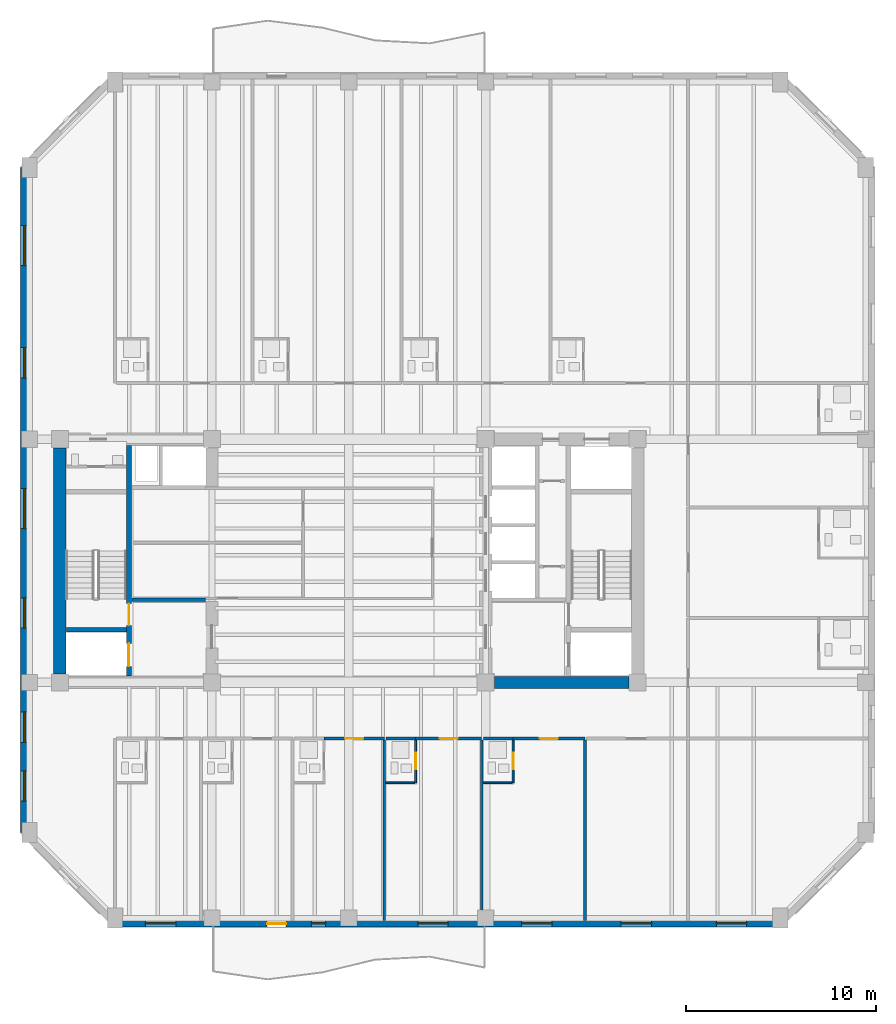
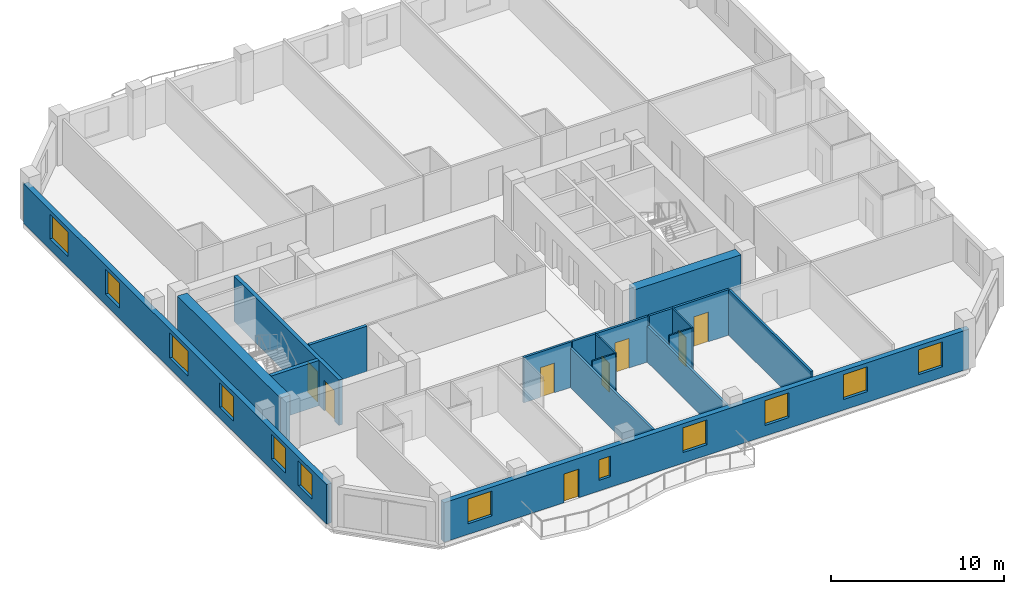
# One storey, part 3 of 11: 19 walls, 12 windows, 8 doors, 20 openings.
"""IFC4 building model written with IfcOpenShell, lengths in metres."""

from ifc_helpers import new_model, si_unit, direction, frame, frame_2d, origin, place, context, subcontext, project, spatial, rectangle, extrude, material, layer, layer_set, type_object, element, fill, save


model = new_model("IFC4")

# Units and contexts
model_context = context("Model", 3, precision=1e-05, world=origin(), true_north=direction((0.0, 1.0)))
body_context = subcontext(model_context, "Body", "Model", "MODEL_VIEW")
ifc_project = project(units=[si_unit("LENGTHUNIT", "METRE"), si_unit("AREAUNIT", "SQUARE_METRE"), si_unit("VOLUMEUNIT", "CUBIC_METRE"), si_unit("PLANEANGLEUNIT", "RADIAN"), si_unit("MASSUNIT", "GRAM", prefix="KILO")], contexts=[model_context])

# Site, building, storey
site_placement = place(None, origin())
site = spatial("IfcSite", under=ifc_project, at=site_placement, CompositionType="ELEMENT")
building_placement = place(site_placement, origin())
building = spatial("IfcBuilding", under=site, at=building_placement, Name="Kranthara Brick Stack", CompositionType="ELEMENT")
storey_placement = place(building_placement, frame((0.0, 0.0, 176.300048828125)))
storey = spatial("IfcBuildingStorey", under=building, at=storey_placement, Name="L45", CompositionType="ELEMENT", Elevation=176.300048828125)

# Wall, openings, door, windows
ifc_material_1 = material(Name="Kiln-fired clay brick masonry M15", Category="masonry")
ifc_layer_1 = layer(ifc_material_1, 0.35009765625)
ifc_layer_set_1 = layer_set([ifc_layer_1], Name="Kiln-fired clay brick masonry M15")
wall_type_1 = type_object("IfcWallType", Name="WL-BRK-SPND-350", PredefinedType="STANDARD", material=ifc_layer_set_1)
wall_1_placement = place(storey_placement, frame((50.699951171875, 8.094970703125, 0.0), z_axis=(0.0, 0.0, 1.0), x_axis=(-1.0, 0.0, 0.0)))
wall_1 = element("IfcWall", 1, at=wall_1_placement, inside=storey, type_object=wall_type_1, Name="L45 Exterior Brick Facade Wall SOUTH 1", PredefinedType="STANDARD", context=body_context, shape_type="SweptSolid", body=[
    extrude(rectangle(XDim=35.0, YDim=0.35009765625, at=frame_2d((17.5, 0.0))), origin(), (0.0, 0.0, 1.0), 2.784912109375),
])
opening_1_placement = place(wall_1_placement, frame((26.0, 0.0, 0.0)))
opening_1 = element("IfcOpeningElement", 2, at=opening_1_placement, cuts=wall_1, Name="Opening D03", PredefinedType="OPENING", context=body_context, shape_type="SweptSolid", body=[
    extrude(rectangle(XDim=1.0, YDim=2.02001953125, at=frame_2d((0.5, 1.010009765625))), frame((0.0, 0.18505859375, 0.0), z_axis=(0.0, -1.0, 0.0), x_axis=(1.0, 0.0, 0.0)), (0.0, 0.0, 1.0), 0.3701171875),
])
opening_2_placement = place(wall_1_placement, frame((1.762939453125, 0.0, 0.75)))
opening_2 = element("IfcOpeningElement", 3, at=opening_2_placement, cuts=wall_1, Name="Opening WN04", PredefinedType="OPENING", context=body_context, shape_type="SweptSolid", body=[
    extrude(rectangle(XDim=1.60009765625, YDim=1.75, at=frame_2d((0.800048828125, 0.875))), frame((0.0, 0.18505859375, 0.0), z_axis=(0.0, -1.0, 0.0), x_axis=(1.0, 0.0, 0.0)), (0.0, 0.0, 1.0), 0.3701171875),
])
opening_3_placement = place(wall_1_placement, frame((6.763916015625, 0.0, 0.75)))
opening_3 = element("IfcOpeningElement", 4, at=opening_3_placement, cuts=wall_1, Name="Opening WN04", PredefinedType="OPENING", context=body_context, shape_type="SweptSolid", body=[
    extrude(rectangle(XDim=1.60009765625, YDim=1.75, at=frame_2d((0.800048828125, 0.875))), frame((0.0, 0.18505859375, 0.0), z_axis=(0.0, -1.0, 0.0), x_axis=(1.0, 0.0, 0.0)), (0.0, 0.0, 1.0), 0.3701171875),
])
opening_4_placement = place(wall_1_placement, frame((12.0009765625, 0.0, 0.75)))
opening_4 = element("IfcOpeningElement", 5, at=opening_4_placement, cuts=wall_1, Name="Opening WN04", PredefinedType="OPENING", context=body_context, shape_type="SweptSolid", body=[
    extrude(rectangle(XDim=1.60009765625, YDim=1.75, at=frame_2d((0.800048828125, 0.875))), frame((0.0, 0.18505859375, 0.0), z_axis=(0.0, -1.0, 0.0), x_axis=(1.0, 0.0, 0.0)), (0.0, 0.0, 1.0), 0.3701171875),
])
opening_5_placement = place(wall_1_placement, frame((17.467041015625, 0.0, 0.75)))
opening_5 = element("IfcOpeningElement", 6, at=opening_5_placement, cuts=wall_1, Name="Opening WN04", PredefinedType="OPENING", context=body_context, shape_type="SweptSolid", body=[
    extrude(rectangle(XDim=1.60009765625, YDim=1.75, at=frame_2d((0.800048828125, 0.875))), frame((0.0, 0.18505859375, 0.0), z_axis=(0.0, -1.0, 0.0), x_axis=(1.0, 0.0, 0.0)), (0.0, 0.0, 1.0), 0.3701171875),
])
opening_6_placement = place(wall_1_placement, frame((31.801025390625, 0.0, 0.75)))
opening_6 = element("IfcOpeningElement", 7, at=opening_6_placement, cuts=wall_1, Name="Opening WN04", PredefinedType="OPENING", context=body_context, shape_type="SweptSolid", body=[
    extrude(rectangle(XDim=1.60009765625, YDim=1.75, at=frame_2d((0.800048828125, 0.875))), frame((0.0, 0.18505859375, 0.0), z_axis=(0.0, -1.0, 0.0), x_axis=(1.0, 0.0, 0.0)), (0.0, 0.0, 1.0), 0.3701171875),
])
opening_7_placement = place(wall_1_placement, frame((23.9140625, 0.0, 0.75)))
opening_7 = element("IfcOpeningElement", 8, at=opening_7_placement, cuts=wall_1, Name="Opening WN13", PredefinedType="OPENING", context=body_context, shape_type="SweptSolid", body=[
    extrude(rectangle(XDim=0.75, YDim=1.449951171875, at=frame_2d((0.375, 0.72509765625))), frame((0.0, 0.18505859375, 0.0), z_axis=(0.0, -1.0, 0.0), x_axis=(1.0, 0.0, 0.0)), (0.0, 0.0, 1.0), 0.3701171875),
])
ifc_material_2 = material(Name="Bronze anodised aluminium and laminated glass", Category="aluminium")
door_type_1 = type_object("IfcDoorType", Name="DR-BALC-1000", OperationType="NOTDEFINED", PredefinedType="DOOR", material=ifc_material_2)
door_1_placement = place(opening_1_placement, origin())
door_1 = element("IfcDoor", 9, at=door_1_placement, inside=storey, type_object=door_type_1, Name="L45 South Balcony Terrace Door", OperationType="SINGLE_SWING_LEFT", OverallHeight=2.02001953125, OverallWidth=1.0, PredefinedType="DOOR", context=body_context, shape_type="SweptSolid", body=[
    extrude(rectangle(XDim=1.0, YDim=2.02001953125, at=frame_2d((0.5, 1.010009765625))), frame((0.0, 0.02490234375, 0.0), z_axis=(0.0, -1.0, 0.0), x_axis=(1.0, 0.0, 0.0)), (0.0, 0.0, 1.0), 0.050048828125),
])
fill(opening_1, door_1)
ifc_material_3 = material(Name="Double-glazed low-E solar control glass", Category="glass")
window_type_1 = type_object("IfcWindowType", Name="WN-CAS-750x1450", PartitioningType="SINGLE_PANEL", PredefinedType="WINDOW", material=ifc_material_3)
window_1_placement = place(opening_7_placement, origin())
window_1 = element("IfcWindow", 10, at=window_1_placement, inside=storey, type_object=window_type_1, Name="L45 South Deep-Set Casement Window 06", OverallHeight=1.449951171875, OverallWidth=0.75, PartitioningType="SINGLE_PANEL", PredefinedType="WINDOW", context=body_context, shape_type="SweptSolid", body=[
    extrude(rectangle(XDim=0.75, YDim=1.449951171875, at=frame_2d((0.375, 0.72509765625))), frame((0.0, -0.010009765625, 0.0), z_axis=(0.0, -1.0, 0.0), x_axis=(1.0, 0.0, 0.0)), (0.0, 0.0, 1.0), 0.06005859375),
])
fill(opening_7, window_1)
ifc_material_4 = material(Name="Double-glazed low-E solar control glass", Category="glass")
window_type_2 = type_object("IfcWindowType", Name="WN-HTL-1600x1850", PartitioningType="DOUBLE_PANEL_VERTICAL", PredefinedType="WINDOW", material=ifc_material_4)
window_2_placement = place(opening_2_placement, origin())
window_2 = element("IfcWindow", 11, at=window_2_placement, inside=storey, type_object=window_type_2, Name="L45 South Deep-Set Brick Window 01", OverallHeight=1.75, OverallWidth=1.60009765625, PartitioningType="SINGLE_PANEL", PredefinedType="WINDOW", context=body_context, shape_type="SweptSolid", body=[
    extrude(rectangle(XDim=1.60009765625, YDim=1.75, at=frame_2d((0.800048828125, 0.875))), frame((0.0, -0.010009765625, 0.0), z_axis=(0.0, -1.0, 0.0), x_axis=(1.0, 0.0, 0.0)), (0.0, 0.0, 1.0), 0.06005859375),
])
fill(opening_2, window_2)
window_3_placement = place(opening_3_placement, origin())
window_3 = element("IfcWindow", 12, at=window_3_placement, inside=storey, type_object=window_type_2, Name="L45 South Deep-Set Brick Window 02", OverallHeight=1.75, OverallWidth=1.60009765625, PartitioningType="SINGLE_PANEL", PredefinedType="WINDOW", context=body_context, shape_type="SweptSolid", body=[
    extrude(rectangle(XDim=1.60009765625, YDim=1.75, at=frame_2d((0.800048828125, 0.875))), frame((0.0, -0.010009765625, 0.0), z_axis=(0.0, -1.0, 0.0), x_axis=(1.0, 0.0, 0.0)), (0.0, 0.0, 1.0), 0.06005859375),
])
fill(opening_3, window_3)
window_4_placement = place(opening_4_placement, origin())
window_4 = element("IfcWindow", 13, at=window_4_placement, inside=storey, type_object=window_type_2, Name="L45 South Deep-Set Brick Window 03", OverallHeight=1.75, OverallWidth=1.60009765625, PartitioningType="SINGLE_PANEL", PredefinedType="WINDOW", context=body_context, shape_type="SweptSolid", body=[
    extrude(rectangle(XDim=1.60009765625, YDim=1.75, at=frame_2d((0.800048828125, 0.875))), frame((0.0, -0.010009765625, 0.0), z_axis=(0.0, -1.0, 0.0), x_axis=(1.0, 0.0, 0.0)), (0.0, 0.0, 1.0), 0.06005859375),
])
fill(opening_4, window_4)
window_5_placement = place(opening_5_placement, origin())
window_5 = element("IfcWindow", 14, at=window_5_placement, inside=storey, type_object=window_type_2, Name="L45 South Deep-Set Brick Window 04", OverallHeight=1.75, OverallWidth=1.60009765625, PartitioningType="SINGLE_PANEL", PredefinedType="WINDOW", context=body_context, shape_type="SweptSolid", body=[
    extrude(rectangle(XDim=1.60009765625, YDim=1.75, at=frame_2d((0.800048828125, 0.875))), frame((0.0, -0.010009765625, 0.0), z_axis=(0.0, -1.0, 0.0), x_axis=(1.0, 0.0, 0.0)), (0.0, 0.0, 1.0), 0.06005859375),
])
fill(opening_5, window_5)
window_6_placement = place(opening_6_placement, origin())
window_6 = element("IfcWindow", 15, at=window_6_placement, inside=storey, type_object=window_type_2, Name="L45 South Deep-Set Brick Window 05", OverallHeight=1.75, OverallWidth=1.60009765625, PartitioningType="SINGLE_PANEL", PredefinedType="WINDOW", context=body_context, shape_type="SweptSolid", body=[
    extrude(rectangle(XDim=1.60009765625, YDim=1.75, at=frame_2d((0.800048828125, 0.875))), frame((0.0, -0.010009765625, 0.0), z_axis=(0.0, -1.0, 0.0), x_axis=(1.0, 0.0, 0.0)), (0.0, 0.0, 1.0), 0.06005859375),
])
fill(opening_6, window_6)

# Wall, openings, windows
wall_2_placement = place(storey_placement, frame((10.89501953125, 12.89990234375, 0.0), z_axis=(0.0, 0.0, 1.0), x_axis=(0.0, 1.0, 0.0)))
wall_2 = element("IfcWall", 16, at=wall_2_placement, inside=storey, type_object=wall_type_1, Name="L45 Exterior Brick Facade Wall WEST 1", PredefinedType="STANDARD", context=body_context, shape_type="SweptSolid", body=[
    extrude(rectangle(XDim=35.0, YDim=0.35009765625, at=frame_2d((17.5, 0.0))), origin(), (0.0, 0.0, 1.0), 2.784912109375),
])
opening_8_placement = place(wall_2_placement, frame((1.652099609375, 0.0, 0.75)))
opening_8 = element("IfcOpeningElement", 17, at=opening_8_placement, cuts=wall_2, Name="Opening WN04", PredefinedType="OPENING", context=body_context, shape_type="SweptSolid", body=[
    extrude(rectangle(XDim=1.60009765625, YDim=1.75, at=frame_2d((0.800048828125, 0.875))), frame((0.0, 0.18505859375, 0.0), z_axis=(0.0, -1.0, 0.0), x_axis=(1.0, 0.0, 0.0)), (0.0, 0.0, 1.0), 0.3701171875),
])
opening_9_placement = place(wall_2_placement, frame((4.748046875, 0.0, 0.75)))
opening_9 = element("IfcOpeningElement", 18, at=opening_9_placement, cuts=wall_2, Name="Opening WN04", PredefinedType="OPENING", context=body_context, shape_type="SweptSolid", body=[
    extrude(rectangle(XDim=1.60009765625, YDim=1.75, at=frame_2d((0.800048828125, 0.875))), frame((0.0, 0.18505859375, 0.0), z_axis=(0.0, -1.0, 0.0), x_axis=(1.0, 0.0, 0.0)), (0.0, 0.0, 1.0), 0.3701171875),
])
opening_10_placement = place(wall_2_placement, frame((10.751953125, 0.0, 0.75)))
opening_10 = element("IfcOpeningElement", 19, at=opening_10_placement, cuts=wall_2, Name="Opening WN04", PredefinedType="OPENING", context=body_context, shape_type="SweptSolid", body=[
    extrude(rectangle(XDim=1.60009765625, YDim=1.75, at=frame_2d((0.800048828125, 0.875))), frame((0.0, 0.18505859375, 0.0), z_axis=(0.0, -1.0, 0.0), x_axis=(1.0, 0.0, 0.0)), (0.0, 0.0, 1.0), 0.3701171875),
])
opening_11_placement = place(wall_2_placement, frame((15.998046875, 0.0, 0.75)))
opening_11 = element("IfcOpeningElement", 20, at=opening_11_placement, cuts=wall_2, Name="Opening WN05", PredefinedType="OPENING", context=body_context, shape_type="SweptSolid", body=[
    extrude(rectangle(XDim=2.10009765625, YDim=1.75, at=frame_2d((1.050048828125, 0.875))), frame((0.0, 0.18505859375, 0.0), z_axis=(0.0, -1.0, 0.0), x_axis=(1.0, 0.0, 0.0)), (0.0, 0.0, 1.0), 0.3701171875),
])
opening_12_placement = place(wall_2_placement, frame((23.916015625, 0.0, 0.75)))
opening_12 = element("IfcOpeningElement", 21, at=opening_12_placement, cuts=wall_2, Name="Opening WN04", PredefinedType="OPENING", context=body_context, shape_type="SweptSolid", body=[
    extrude(rectangle(XDim=1.60009765625, YDim=1.75, at=frame_2d((0.800048828125, 0.875))), frame((0.0, 0.18505859375, 0.0), z_axis=(0.0, -1.0, 0.0), x_axis=(1.0, 0.0, 0.0)), (0.0, 0.0, 1.0), 0.3701171875),
])
opening_13_placement = place(wall_2_placement, frame((29.833984375, 0.0, 0.75)))
opening_13 = element("IfcOpeningElement", 22, at=opening_13_placement, cuts=wall_2, Name="Opening WN05", PredefinedType="OPENING", context=body_context, shape_type="SweptSolid", body=[
    extrude(rectangle(XDim=2.10009765625, YDim=1.75, at=frame_2d((1.050048828125, 0.875))), frame((0.0, 0.18505859375, 0.0), z_axis=(0.0, -1.0, 0.0), x_axis=(1.0, 0.0, 0.0)), (0.0, 0.0, 1.0), 0.3701171875),
])
window_7_placement = place(opening_8_placement, origin())
window_7 = element("IfcWindow", 23, at=window_7_placement, inside=storey, type_object=window_type_2, Name="L45 West Deep-Set Brick Window 01", OverallHeight=1.75, OverallWidth=1.60009765625, PartitioningType="SINGLE_PANEL", PredefinedType="WINDOW", context=body_context, shape_type="SweptSolid", body=[
    extrude(rectangle(XDim=1.60009765625, YDim=1.75, at=frame_2d((0.800048828125, 0.875))), frame((0.0, -0.010009765625, 0.0), z_axis=(0.0, -1.0, 0.0), x_axis=(1.0, 0.0, 0.0)), (0.0, 0.0, 1.0), 0.06005859375),
])
fill(opening_8, window_7)
window_8_placement = place(opening_9_placement, origin())
window_8 = element("IfcWindow", 24, at=window_8_placement, inside=storey, type_object=window_type_2, Name="L45 West Deep-Set Brick Window 02", OverallHeight=1.75, OverallWidth=1.60009765625, PartitioningType="SINGLE_PANEL", PredefinedType="WINDOW", context=body_context, shape_type="SweptSolid", body=[
    extrude(rectangle(XDim=1.60009765625, YDim=1.75, at=frame_2d((0.800048828125, 0.875))), frame((0.0, -0.010009765625, 0.0), z_axis=(0.0, -1.0, 0.0), x_axis=(1.0, 0.0, 0.0)), (0.0, 0.0, 1.0), 0.06005859375),
])
fill(opening_9, window_8)
window_9_placement = place(opening_10_placement, origin())
window_9 = element("IfcWindow", 25, at=window_9_placement, inside=storey, type_object=window_type_2, Name="L45 West Deep-Set Brick Window 03", OverallHeight=1.75, OverallWidth=1.60009765625, PartitioningType="SINGLE_PANEL", PredefinedType="WINDOW", context=body_context, shape_type="SweptSolid", body=[
    extrude(rectangle(XDim=1.60009765625, YDim=1.75, at=frame_2d((0.800048828125, 0.875))), frame((0.0, -0.010009765625, 0.0), z_axis=(0.0, -1.0, 0.0), x_axis=(1.0, 0.0, 0.0)), (0.0, 0.0, 1.0), 0.06005859375),
])
fill(opening_10, window_9)
window_10_placement = place(opening_12_placement, origin())
window_10 = element("IfcWindow", 26, at=window_10_placement, inside=storey, type_object=window_type_2, Name="L45 West Deep-Set Brick Window 05", OverallHeight=1.75, OverallWidth=1.60009765625, PartitioningType="SINGLE_PANEL", PredefinedType="WINDOW", context=body_context, shape_type="SweptSolid", body=[
    extrude(rectangle(XDim=1.60009765625, YDim=1.75, at=frame_2d((0.800048828125, 0.875))), frame((0.0, -0.010009765625, 0.0), z_axis=(0.0, -1.0, 0.0), x_axis=(1.0, 0.0, 0.0)), (0.0, 0.0, 1.0), 0.06005859375),
])
fill(opening_12, window_10)
ifc_material_5 = material(Name="Double-glazed low-E solar control glass", Category="glass")
window_type_3 = type_object("IfcWindowType", Name="WN-HTL-2100x1850", PartitioningType="DOUBLE_PANEL_VERTICAL", PredefinedType="WINDOW", material=ifc_material_5)
window_11_placement = place(opening_11_placement, origin())
window_11 = element("IfcWindow", 27, at=window_11_placement, inside=storey, type_object=window_type_3, Name="L45 West Deep-Set Brick Window 04", OverallHeight=1.75, OverallWidth=2.10009765625, PartitioningType="SINGLE_PANEL", PredefinedType="WINDOW", context=body_context, shape_type="SweptSolid", body=[
    extrude(rectangle(XDim=2.10009765625, YDim=1.75, at=frame_2d((1.050048828125, 0.875))), frame((0.0, -0.010009765625, 0.0), z_axis=(0.0, -1.0, 0.0), x_axis=(1.0, 0.0, 0.0)), (0.0, 0.0, 1.0), 0.06005859375),
])
fill(opening_11, window_11)
window_12_placement = place(opening_13_placement, origin())
window_12 = element("IfcWindow", 28, at=window_12_placement, inside=storey, type_object=window_type_3, Name="L45 West Deep-Set Brick Window 06", OverallHeight=1.75, OverallWidth=2.10009765625, PartitioningType="SINGLE_PANEL", PredefinedType="WINDOW", context=body_context, shape_type="SweptSolid", body=[
    extrude(rectangle(XDim=2.10009765625, YDim=1.75, at=frame_2d((1.050048828125, 0.875))), frame((0.0, -0.010009765625, 0.0), z_axis=(0.0, -1.0, 0.0), x_axis=(1.0, 0.0, 0.0)), (0.0, 0.0, 1.0), 0.06005859375),
])
fill(opening_13, window_12)

# Wall, openings, doors
ifc_material_6 = material(Name="Concrete C50/60", Category="concrete")
ifc_layer_2 = layer(ifc_material_6, 0.25)
ifc_layer_set_2 = layer_set([ifc_layer_2], Name="Concrete C50/60")
wall_type_2 = type_object("IfcWallType", Name="WL-CORE-250", PredefinedType="SHEAR", material=ifc_layer_set_2)
wall_3_placement = place(storey_placement, frame((16.43505859375, 21.135009765625, 0.0), z_axis=(0.0, 0.0, 1.0), x_axis=(0.0, 1.0, 0.0)))
wall_3 = element("IfcWall", 29, at=wall_3_placement, inside=storey, type_object=wall_type_2, Name="L45 West Core Stair Bearing Spine Wall", PredefinedType="SHEAR", context=body_context, shape_type="SweptSolid", body=[
    extrude(rectangle(XDim=12.1298828125, YDim=0.25, at=frame_2d((6.06494140625, 0.0))), origin(), (0.0, 0.0, 1.0), 3.199951171875),
])
opening_14_placement = place(wall_3_placement, frame((0.514892578125, 0.0, 0.0)))
opening_14 = element("IfcOpeningElement", 30, at=opening_14_placement, cuts=wall_3, Name="Opening LD01", PredefinedType="OPENING", context=body_context, shape_type="SweptSolid", body=[
    extrude(rectangle(XDim=1.199951171875, YDim=2.14990234375, at=frame_2d((0.60009765625, 1.074951171875))), frame((0.0, 0.135009765625, 0.0), z_axis=(0.0, -1.0, 0.0), x_axis=(1.0, 0.0, 0.0)), (0.0, 0.0, 1.0), 0.27001953125),
])
opening_15_placement = place(wall_3_placement, frame((2.6650390625, 0.0, 0.0)))
opening_15 = element("IfcOpeningElement", 31, at=opening_15_placement, cuts=wall_3, Name="Opening D05", PredefinedType="OPENING", context=body_context, shape_type="SweptSolid", body=[
    extrude(rectangle(XDim=1.14990234375, YDim=2.14990234375, at=frame_2d((0.574951171875, 1.074951171875))), frame((0.0, 0.135009765625, 0.0), z_axis=(0.0, -1.0, 0.0), x_axis=(1.0, 0.0, 0.0)), (0.0, 0.0, 1.0), 0.27001953125),
])
ifc_material_7 = material(Name="Stainless steel sliding landing door", Category="steel")
door_type_2 = type_object("IfcDoorType", Name="DR-LD-FF1200", OperationType="DOUBLE_DOOR_SLIDING", PredefinedType="DOOR", material=ifc_material_7)
door_2_placement = place(opening_14_placement, origin())
door_2 = element("IfcDoor", 32, at=door_2_placement, inside=storey, type_object=door_type_2, Name="L45 Firefighting Lift FF-01 Landing Door", OperationType="DOUBLE_DOOR_SLIDING", OverallHeight=2.14990234375, OverallWidth=1.199951171875, PredefinedType="DOOR", context=body_context, shape_type="SweptSolid", body=[
    extrude(rectangle(XDim=1.199951171875, YDim=2.14990234375, at=frame_2d((0.60009765625, 1.074951171875))), frame((0.0, 0.02490234375, 0.0), z_axis=(0.0, -1.0, 0.0), x_axis=(1.0, 0.0, 0.0)), (0.0, 0.0, 1.0), 0.050048828125),
])
fill(opening_14, door_2)
ifc_material_8 = material(Name="Solid-core hardwood timber leaf in steel frame", Category="steel")
door_type_3 = type_object("IfcDoorType", Name="DR-ST-1150", OperationType="NOTDEFINED", PredefinedType="DOOR", material=ifc_material_8)
door_3_placement = place(opening_15_placement, origin())
door_3 = element("IfcDoor", 33, at=door_3_placement, inside=storey, type_object=door_type_3, Name="L45 Exit Stair ST01 Door", OperationType="SINGLE_SWING_RIGHT", OverallHeight=2.14990234375, OverallWidth=1.14990234375, PredefinedType="DOOR", context=body_context, shape_type="SweptSolid", body=[
    extrude(rectangle(XDim=1.14990234375, YDim=2.14990234375, at=frame_2d((0.574951171875, 1.074951171875))), frame((0.0, 0.02490234375, 0.0), z_axis=(0.0, -1.0, 0.0), x_axis=(1.0, 0.0, 0.0)), (0.0, 0.0, 1.0), 0.050048828125),
])
fill(opening_15, door_3)

# Walls
wall_4_placement = place(storey_placement, frame((13.135009765625, 23.570068359375, 0.0), z_axis=(0.0, 0.0, 1.0), x_axis=(1.0, 0.0, 0.0)))
element("IfcWall", 34, at=wall_4_placement, inside=storey, type_object=wall_type_2, Name="L45 West Stairwell Bearing Wall WFF", PredefinedType="SHEAR", context=body_context, shape_type="SweptSolid", body=[
    extrude(rectangle(XDim=3.175048828125, YDim=0.25, at=frame_2d((1.58740234375, 0.0))), origin(), (0.0, 0.0, 1.0), 3.199951171875),
])
ifc_material_9 = material(Name="Concrete C60/75", Category="concrete")
ifc_layer_3 = layer(ifc_material_9, 0.64990234375)
ifc_layer_set_3 = layer_set([ifc_layer_3], Name="Concrete C60/75")
wall_type_3 = type_object("IfcWallType", Name="WL-CORE-650", PredefinedType="SHEAR", material=ifc_layer_set_3)
wall_5_placement = place(storey_placement, frame((12.800048828125, 21.2548828125, 0.0), z_axis=(0.0, 0.0, 1.0), x_axis=(0.0, 1.0, 0.0)))
element("IfcWall", 35, at=wall_5_placement, inside=storey, type_object=wall_type_3, Name="L45 West Core Shear Wall West", PredefinedType="SHEAR", context=body_context, shape_type="SweptSolid", body=[
    extrude(rectangle(XDim=11.89013671875, YDim=0.64990234375, at=frame_2d((5.945068359375, 0.0))), origin(), (0.0, 0.0, 1.0), 3.199951171875),
])
wall_6_placement = place(storey_placement, frame((35.655029296875, 20.800048828125, 0.0), z_axis=(0.0, 0.0, 1.0), x_axis=(1.0, 0.0, 0.0)))
element("IfcWall", 36, at=wall_6_placement, inside=storey, type_object=wall_type_3, Name="L45 East Core Shear Wall South", PredefinedType="SHEAR", context=body_context, shape_type="SweptSolid", body=[
    extrude(rectangle(XDim=7.090087890625, YDim=0.64990234375, at=frame_2d((3.544921875, 0.0))), origin(), (0.0, 0.0, 1.0), 3.199951171875),
])

# Wall, opening, door
ifc_material_10 = material(Name="Moisture-resistant wet-room partition", Category="other")
ifc_layer_4 = layer(ifc_material_10, 0.10009765625)
ifc_layer_set_4 = layer_set([ifc_layer_4], Name="Moisture-resistant wet-room partition")
wall_type_4 = type_object("IfcWallType", Name="WL-PART-100", PredefinedType="PARTITIONING", material=ifc_layer_set_4)
wall_7_placement = place(storey_placement, frame((31.52001953125, 15.52001953125, 0.0), z_axis=(0.0, 0.0, 1.0), x_axis=(0.0, 1.0, 0.0)))
wall_7 = element("IfcWall", 37, at=wall_7_placement, inside=storey, type_object=wall_type_4, Name="L45 Interior Partition 027", PredefinedType="PARTITIONING", context=body_context, shape_type="SweptSolid", body=[
    extrude(rectangle(XDim=2.25, YDim=0.10009765625, at=frame_2d((1.125, 0.0))), origin(), (0.0, 0.0, 1.0), 3.199951171875),
])
opening_16_placement = place(wall_7_placement, frame((0.719970703125, 0.0, 0.0)))
opening_16 = element("IfcOpeningElement", 38, at=opening_16_placement, cuts=wall_7, Name="Opening D17", PredefinedType="OPENING", context=body_context, shape_type="SweptSolid", body=[
    extrude(rectangle(XDim=0.85009765625, YDim=2.050048828125, at=frame_2d((0.425048828125, 1.02490234375))), frame((0.0, 0.06005859375, 0.0), z_axis=(0.0, -1.0, 0.0), x_axis=(1.0, 0.0, 0.0)), (0.0, 0.0, 1.0), 0.1201171875),
])
ifc_material_11 = material(Name="Solid-core hardwood timber leaf in steel frame", Category="steel")
door_type_4 = type_object("IfcDoorType", Name="DR-WET-850", OperationType="NOTDEFINED", PredefinedType="DOOR", material=ifc_material_11)
door_4_placement = place(opening_16_placement, origin())
door_4 = element("IfcDoor", 39, at=door_4_placement, inside=storey, type_object=door_type_4, Name="L45 Key 04 En-Suite Door 13", OperationType="SINGLE_SWING_LEFT", OverallHeight=2.050048828125, OverallWidth=0.85009765625, PredefinedType="DOOR", context=body_context, shape_type="SweptSolid", body=[
    extrude(rectangle(XDim=0.85009765625, YDim=2.050048828125, at=frame_2d((0.425048828125, 1.02490234375))), frame((0.0, 0.02490234375, 0.0), z_axis=(0.0, -1.0, 0.0), x_axis=(1.0, 0.0, 0.0)), (0.0, 0.0, 1.0), 0.050048828125),
])
fill(opening_16, door_4)

# Wall
wall_8_placement = place(storey_placement, frame((29.949951171875, 15.52001953125, 0.0), z_axis=(0.0, 0.0, 1.0), x_axis=(1.0, 0.0, 0.0)))
element("IfcWall", 40, at=wall_8_placement, inside=storey, type_object=wall_type_4, Name="L45 Interior Partition 028", PredefinedType="PARTITIONING", context=body_context, shape_type="SweptSolid", body=[
    extrude(rectangle(XDim=1.51513671875, YDim=0.10009765625, at=frame_2d((0.757568359375, 0.0))), origin(), (0.0, 0.0, 1.0), 3.199951171875),
])

# Wall, opening, door
wall_9_placement = place(storey_placement, frame((36.64599609375, 15.52001953125, 0.0), z_axis=(0.0, 0.0, 1.0), x_axis=(0.0, 1.0, 0.0)))
wall_9 = element("IfcWall", 41, at=wall_9_placement, inside=storey, type_object=wall_type_4, Name="L45 Interior Partition 032", PredefinedType="PARTITIONING", context=body_context, shape_type="SweptSolid", body=[
    extrude(rectangle(XDim=2.25, YDim=0.10009765625, at=frame_2d((1.125, 0.0))), origin(), (0.0, 0.0, 1.0), 3.199951171875),
])
opening_17_placement = place(wall_9_placement, frame((0.719970703125, 0.0, 0.0)))
opening_17 = element("IfcOpeningElement", 42, at=opening_17_placement, cuts=wall_9, Name="Opening D17", PredefinedType="OPENING", context=body_context, shape_type="SweptSolid", body=[
    extrude(rectangle(XDim=0.85009765625, YDim=2.050048828125, at=frame_2d((0.425048828125, 1.02490234375))), frame((0.0, 0.06005859375, 0.0), z_axis=(0.0, -1.0, 0.0), x_axis=(1.0, 0.0, 0.0)), (0.0, 0.0, 1.0), 0.1201171875),
])
door_5_placement = place(opening_17_placement, origin())
door_5 = element("IfcDoor", 43, at=door_5_placement, inside=storey, type_object=door_type_4, Name="L45 Key 05 En-Suite Door 15", OperationType="SINGLE_SWING_LEFT", OverallHeight=2.050048828125, OverallWidth=0.85009765625, PredefinedType="DOOR", context=body_context, shape_type="SweptSolid", body=[
    extrude(rectangle(XDim=0.85009765625, YDim=2.050048828125, at=frame_2d((0.425048828125, 1.02490234375))), frame((0.0, 0.02490234375, 0.0), z_axis=(0.0, -1.0, 0.0), x_axis=(1.0, 0.0, 0.0)), (0.0, 0.0, 1.0), 0.050048828125),
])
fill(opening_17, door_5)

# Wall
wall_10_placement = place(storey_placement, frame((35.075927734375, 15.52001953125, 0.0), z_axis=(0.0, 0.0, 1.0), x_axis=(1.0, 0.0, 0.0)))
element("IfcWall", 44, at=wall_10_placement, inside=storey, type_object=wall_type_4, Name="L45 Interior Partition 033", PredefinedType="PARTITIONING", context=body_context, shape_type="SweptSolid", body=[
    extrude(rectangle(XDim=1.51513671875, YDim=0.10009765625, at=frame_2d((0.757568359375, 0.0))), origin(), (0.0, 0.0, 1.0), 3.199951171875),
])

# Wall, opening, door
ifc_material_12 = material(Name="Fire-rated gypsum board partition", Category="other")
ifc_layer_5 = layer(ifc_material_12, 0.14990234375)
ifc_layer_set_5 = layer_set([ifc_layer_5], Name="Fire-rated gypsum board partition")
wall_type_5 = type_object("IfcWallType", Name="WL-PART-150", PredefinedType="PARTITIONING", material=ifc_layer_set_5)
wall_11_placement = place(storey_placement, frame((26.697021484375, 17.85009765625, 0.0), z_axis=(0.0, 0.0, 1.0), x_axis=(1.0, 0.0, 0.0)))
wall_11 = element("IfcWall", 45, at=wall_11_placement, inside=storey, type_object=wall_type_5, Name="L45 Interior Partition 021", PredefinedType="PARTITIONING", context=body_context, shape_type="SweptSolid", body=[
    extrude(rectangle(XDim=3.173095703125, YDim=0.14990234375, at=frame_2d((1.58642578125, 0.0))), origin(), (0.0, 0.0, 1.0), 3.199951171875),
])
opening_18_placement = place(wall_11_placement, frame((1.10693359375, 0.0, 0.0)))
opening_18 = element("IfcOpeningElement", 46, at=opening_18_placement, cuts=wall_11, Name="Opening D09", PredefinedType="OPENING", context=body_context, shape_type="SweptSolid", body=[
    extrude(rectangle(XDim=0.949951171875, YDim=2.10009765625, at=frame_2d((0.47509765625, 1.050048828125))), frame((0.0, 0.0849609375, 0.0), z_axis=(0.0, -1.0, 0.0), x_axis=(1.0, 0.0, 0.0)), (0.0, 0.0, 1.0), 0.169921875),
])
ifc_material_13 = material(Name="Solid-core hardwood timber leaf in steel frame", Category="steel")
door_type_5 = type_object("IfcDoorType", Name="DR-FD-950", OperationType="NOTDEFINED", PredefinedType="DOOR", material=ifc_material_13)
door_6_placement = place(opening_18_placement, origin())
door_6 = element("IfcDoor", 47, at=door_6_placement, inside=storey, type_object=door_type_5, Name="L45 Key 03 Entry 12", OperationType="SINGLE_SWING_RIGHT", OverallHeight=2.10009765625, OverallWidth=0.949951171875, PredefinedType="DOOR", context=body_context, shape_type="SweptSolid", body=[
    extrude(rectangle(XDim=0.949951171875, YDim=2.10009765625, at=frame_2d((0.47509765625, 1.050048828125))), frame((0.0, 0.02490234375, 0.0), z_axis=(0.0, -1.0, 0.0), x_axis=(1.0, 0.0, 0.0)), (0.0, 0.0, 1.0), 0.050048828125),
])
fill(opening_18, door_6)

# Walls
wall_12_placement = place(storey_placement, frame((29.8701171875, 8.27490234375, 0.0), z_axis=(0.0, 0.0, 1.0), x_axis=(0.0, 1.0, 0.0)))
element("IfcWall", 48, at=wall_12_placement, inside=storey, type_object=wall_type_5, Name="L45 Interior Partition 024", PredefinedType="PARTITIONING", context=body_context, shape_type="SweptSolid", body=[
    extrude(rectangle(XDim=9.4951171875, YDim=0.14990234375, at=frame_2d((4.74755859375, 0.0))), origin(), (0.0, 0.0, 1.0), 2.784912109375),
])
wall_13_placement = place(storey_placement, frame((29.949951171875, 17.85009765625, 0.0), z_axis=(0.0, 0.0, 1.0), x_axis=(1.0, 0.0, 0.0)))
element("IfcWall", 49, at=wall_13_placement, inside=storey, type_object=wall_type_5, Name="L45 Interior Partition 025", PredefinedType="PARTITIONING", context=body_context, shape_type="SweptSolid", body=[
    extrude(rectangle(XDim=1.570068359375, YDim=0.14990234375, at=frame_2d((0.78515625, 0.0))), origin(), (0.0, 0.0, 1.0), 3.199951171875),
])

# Wall, opening, door
wall_14_placement = place(storey_placement, frame((31.52001953125, 17.85009765625, 0.0), z_axis=(0.0, 0.0, 1.0), x_axis=(1.0, 0.0, 0.0)))
wall_14 = element("IfcWall", 50, at=wall_14_placement, inside=storey, type_object=wall_type_5, Name="L45 Interior Partition 026", PredefinedType="PARTITIONING", context=body_context, shape_type="SweptSolid", body=[
    extrude(rectangle(XDim=3.47607421875, YDim=0.14990234375, at=frame_2d((1.738037109375, 0.0))), origin(), (0.0, 0.0, 1.0), 3.199951171875),
])
opening_19_placement = place(wall_14_placement, frame((1.258056640625, 0.0, 0.0)))
opening_19 = element("IfcOpeningElement", 51, at=opening_19_placement, cuts=wall_14, Name="Opening D09", PredefinedType="OPENING", context=body_context, shape_type="SweptSolid", body=[
    extrude(rectangle(XDim=0.949951171875, YDim=2.10009765625, at=frame_2d((0.47509765625, 1.050048828125))), frame((0.0, 0.0849609375, 0.0), z_axis=(0.0, -1.0, 0.0), x_axis=(1.0, 0.0, 0.0)), (0.0, 0.0, 1.0), 0.169921875),
])
door_7_placement = place(opening_19_placement, origin())
door_7 = element("IfcDoor", 52, at=door_7_placement, inside=storey, type_object=door_type_5, Name="L45 Key 04 Entry 14", OperationType="SINGLE_SWING_RIGHT", OverallHeight=2.10009765625, OverallWidth=0.949951171875, PredefinedType="DOOR", context=body_context, shape_type="SweptSolid", body=[
    extrude(rectangle(XDim=0.949951171875, YDim=2.10009765625, at=frame_2d((0.47509765625, 1.050048828125))), frame((0.0, 0.02490234375, 0.0), z_axis=(0.0, -1.0, 0.0), x_axis=(1.0, 0.0, 0.0)), (0.0, 0.0, 1.0), 0.050048828125),
])
fill(opening_19, door_7)

# Walls
wall_15_placement = place(storey_placement, frame((34.99609375, 8.27490234375, 0.0), z_axis=(0.0, 0.0, 1.0), x_axis=(0.0, 1.0, 0.0)))
element("IfcWall", 53, at=wall_15_placement, inside=storey, type_object=wall_type_5, Name="L45 Interior Partition 029", PredefinedType="PARTITIONING", context=body_context, shape_type="SweptSolid", body=[
    extrude(rectangle(XDim=9.4951171875, YDim=0.14990234375, at=frame_2d((4.74755859375, 0.0))), origin(), (0.0, 0.0, 1.0), 2.534912109375),
])
wall_16_placement = place(storey_placement, frame((35.075927734375, 17.85009765625, 0.0), z_axis=(0.0, 0.0, 1.0), x_axis=(1.0, 0.0, 0.0)))
element("IfcWall", 54, at=wall_16_placement, inside=storey, type_object=wall_type_5, Name="L45 Interior Partition 030", PredefinedType="PARTITIONING", context=body_context, shape_type="SweptSolid", body=[
    extrude(rectangle(XDim=1.570068359375, YDim=0.14990234375, at=frame_2d((0.78515625, 0.0))), origin(), (0.0, 0.0, 1.0), 3.199951171875),
])

# Wall, opening, door
wall_17_placement = place(storey_placement, frame((36.64599609375, 17.85009765625, 0.0), z_axis=(0.0, 0.0, 1.0), x_axis=(1.0, 0.0, 0.0)))
wall_17 = element("IfcWall", 55, at=wall_17_placement, inside=storey, type_object=wall_type_5, Name="L45 Interior Partition 031", PredefinedType="PARTITIONING", context=body_context, shape_type="SweptSolid", body=[
    extrude(rectangle(XDim=3.777099609375, YDim=0.14990234375, at=frame_2d((1.888671875, 0.0))), origin(), (0.0, 0.0, 1.0), 3.199951171875),
])
opening_20_placement = place(wall_17_placement, frame((1.408935546875, 0.0, 0.0)))
opening_20 = element("IfcOpeningElement", 56, at=opening_20_placement, cuts=wall_17, Name="Opening D09", PredefinedType="OPENING", context=body_context, shape_type="SweptSolid", body=[
    extrude(rectangle(XDim=0.949951171875, YDim=2.10009765625, at=frame_2d((0.47509765625, 1.050048828125))), frame((0.0, 0.0849609375, 0.0), z_axis=(0.0, -1.0, 0.0), x_axis=(1.0, 0.0, 0.0)), (0.0, 0.0, 1.0), 0.169921875),
])
door_8_placement = place(opening_20_placement, origin())
door_8 = element("IfcDoor", 57, at=door_8_placement, inside=storey, type_object=door_type_5, Name="L45 Key 05 Entry 16", OperationType="SINGLE_SWING_RIGHT", OverallHeight=2.10009765625, OverallWidth=0.949951171875, PredefinedType="DOOR", context=body_context, shape_type="SweptSolid", body=[
    extrude(rectangle(XDim=0.949951171875, YDim=2.10009765625, at=frame_2d((0.47509765625, 1.050048828125))), frame((0.0, 0.02490234375, 0.0), z_axis=(0.0, -1.0, 0.0), x_axis=(1.0, 0.0, 0.0)), (0.0, 0.0, 1.0), 0.050048828125),
])
fill(opening_20, door_8)

# Walls
wall_18_placement = place(storey_placement, frame((40.423095703125, 8.27490234375, 0.0), z_axis=(0.0, 0.0, 1.0), x_axis=(0.0, 1.0, 0.0)))
element("IfcWall", 58, at=wall_18_placement, inside=storey, type_object=wall_type_5, Name="L45 Interior Partition 034", PredefinedType="PARTITIONING", context=body_context, shape_type="SweptSolid", body=[
    extrude(rectangle(XDim=9.4951171875, YDim=0.14990234375, at=frame_2d((4.74755859375, 0.0))), origin(), (0.0, 0.0, 1.0), 3.199951171875),
])
ifc_material_14 = material(Name="Concrete C40/50", Category="concrete")
ifc_layer_6 = layer(ifc_material_14, 0.199951171875)
ifc_layer_set_6 = layer_set([ifc_layer_6], Name="Concrete C40/50")
wall_type_6 = type_object("IfcWallType", Name="WL-PART-200", PredefinedType="SOLIDWALL", material=ifc_layer_set_6)
wall_19_placement = place(storey_placement, frame((16.60009765625, 25.14990234375, 0.0), z_axis=(0.0, 0.0, 1.0), x_axis=(1.0, 0.0, 0.0)))
element("IfcWall", 59, at=wall_19_placement, inside=storey, type_object=wall_type_6, Name="L45 West Core Cross Wall WFL", PredefinedType="SOLIDWALL", context=body_context, shape_type="SweptSolid", body=[
    extrude(rectangle(XDim=3.849853515625, YDim=0.199951171875, at=frame_2d((1.9248046875, 0.0))), origin(), (0.0, 0.0, 1.0), 3.199951171875),
])

save(model, "model.ifc")
